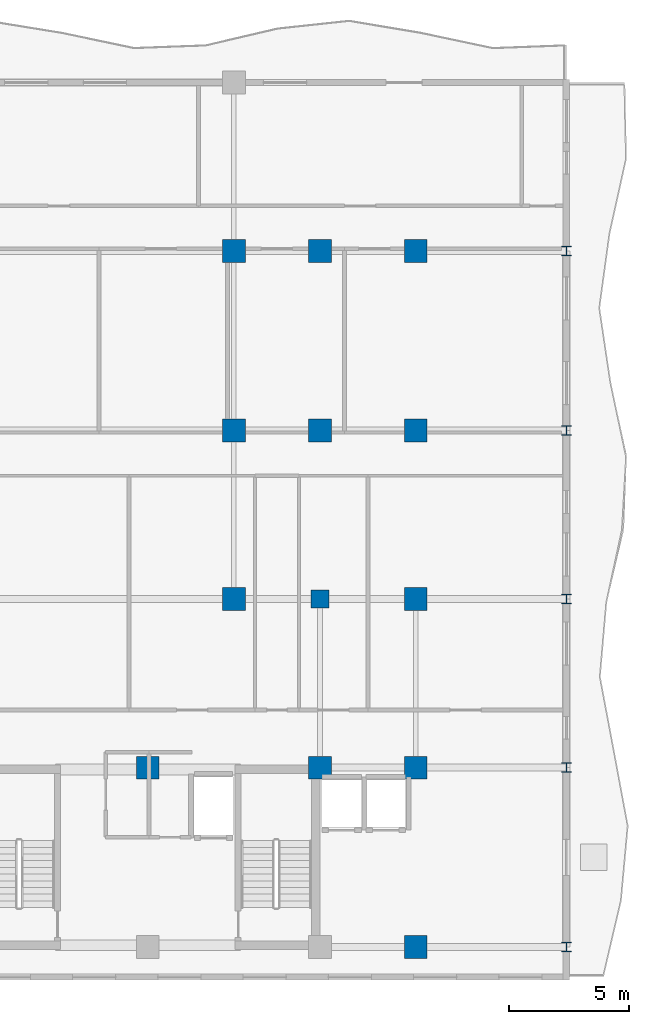
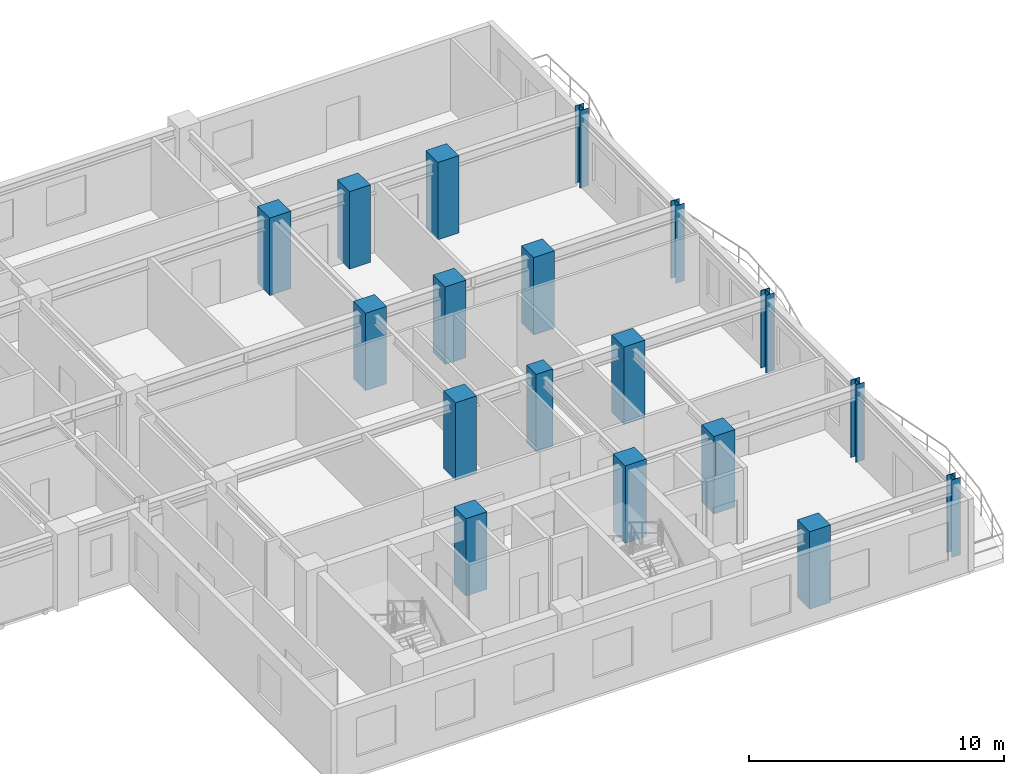
# One storey, part 2 of 13: 18 columns.
"""IFC4 building model written with IfcOpenShell, lengths in metres."""

from ifc_helpers import new_model, si_unit, direction, frame, origin, origin_2d, place, context, subcontext, project, spatial, rectangle, i_section, extrude, source, transform, mapped, material, material_profile, profile_set, type_object, element, save


model = new_model("IFC4")

# Units and contexts
model_context = context("Model", 3, precision=1e-05, world=origin(), true_north=direction((0.0, 1.0)))
body_context = subcontext(model_context, "Body", "Model", "MODEL_VIEW")
ifc_project = project(units=[si_unit("LENGTHUNIT", "METRE"), si_unit("AREAUNIT", "SQUARE_METRE"), si_unit("VOLUMEUNIT", "CUBIC_METRE"), si_unit("PLANEANGLEUNIT", "RADIAN"), si_unit("MASSUNIT", "GRAM", prefix="KILO")], contexts=[model_context])

# Site, building, storey
site_placement = place(None, origin())
site = spatial("IfcSite", under=ifc_project, at=site_placement, CompositionType="ELEMENT")
building_placement = place(site_placement, origin())
building = spatial("IfcBuilding", under=site, at=building_placement, Name="Kaliganga Portal Commons", CompositionType="ELEMENT")
storey_placement = place(building_placement, frame((0.0, 0.0, 212.89990234375)))
storey = spatial("IfcBuildingStorey", under=building, at=storey_placement, Name="L54", CompositionType="ELEMENT", Elevation=212.89990234375)

# Columns
ifc_material_1 = material(Name="Concrete C50/60", Category="concrete")
ifc_material_profile_1 = material_profile(ifc_material_1, rectangle(XDim=0.949951171875, YDim=0.949951171875, at=origin_2d()), Name="RC 950x950")
ifc_profile_set_1 = profile_set([ifc_material_profile_1], Name="Concrete C50/60")
column_type_1 = type_object("IfcColumnType", Name="COL-MEGA-Z4", PredefinedType="COLUMN", material=ifc_profile_set_1)
shared_shape_1 = source(origin(), body_context, "Body", "SweptSolid", [
    extrude(rectangle(XDim=0.949951171875, YDim=0.949951171875, at=origin_2d()), origin(), (0.0, 0.0, 1.0), 3.7001953125),
])
for number, where, z_axis, x_axis, name in (
    (1, (46.800048828125, 21.60009765625, 0.0), (0.0, 0.0, 1.0), (1.0, 0.0, 0.0), "Column MC-05 L54"),
    (2, (46.800048828125, 28.64990234375, 0.0), (0.0, 0.0, 1.0), (1.0, 0.0, 0.0), "Column MC-05 L54"),
    (3, (46.800048828125, 36.14990234375, 0.0), (0.0, 0.0, 1.0), (1.0, 0.0, 0.0), "Column MC-05 L54"),
    (4, (43.199951171875, 14.550048828125, 0.0), (0.0, 0.0, 1.0), (1.0, 0.0, 0.0), "Column MC-05 L54"),
    (5, (50.39990234375, 14.550048828125, 0.0), (0.0, 0.0, 1.0), (1.0, 0.0, 0.0), "Column MC-05 L54"),
    (6, (50.39990234375, 28.64990234375, 0.0), (0.0, 0.0, 1.0), (1.0, 0.0, 0.0), "Column MC-05 L54"),
    (7, (50.39990234375, 36.14990234375, 0.0), (0.0, 0.0, 1.0), (1.0, 0.0, 0.0), "Column MC-05 L54"),
    (8, (54.39990234375, 7.050048828125, 0.0), (0.0, 0.0, 1.0), (1.0, 0.0, 0.0), "Column MC-05 L54"),
    (9, (54.39990234375, 14.550048828125, 0.0), (0.0, 0.0, 1.0), (1.0, 0.0, 0.0), "Column MC-05 L54"),
    (10, (54.39990234375, 21.60009765625, 0.0), (0.0, 0.0, 1.0), (1.0, 0.0, 0.0), "Column MC-05 L54"),
    (11, (54.39990234375, 28.64990234375, 0.0), (0.0, 0.0, 1.0), (1.0, 0.0, 0.0), "Column MC-05 L54"),
    (12, (54.39990234375, 36.14990234375, 0.0), (0.0, 0.0, 1.0), (1.0, 0.0, 0.0), "Column MC-05 L54"),
):
    element("IfcColumn", number, at=place(storey_placement, frame(where, z_axis=z_axis, x_axis=x_axis)), inside=storey, type_object=column_type_1, Name=name, PredefinedType="COLUMN", context=body_context, shape_type="MappedRepresentation", body=[
        mapped(shared_shape_1, transform((0.0, 0.0, 0.0), x_axis=(1.0, 0.0, 0.0), y_axis=(0.0, 1.0, 0.0), z_axis=(0.0, 0.0, 1.0), scale=1.0)),
    ])
ifc_material_2 = material(Name="Concrete C60/75", Category="concrete")
ifc_material_profile_2 = material_profile(ifc_material_2, rectangle(XDim=0.75, YDim=0.75, at=origin_2d()), Name="RC 750x750")
ifc_profile_set_2 = profile_set([ifc_material_profile_2], Name="Concrete C60/75")
column_type_2 = type_object("IfcColumnType", Name="COL-PILASTER-RC", PredefinedType="PILASTER", material=ifc_profile_set_2)
shared_shape_2 = source(origin(), body_context, "Body", "SweptSolid", [
    extrude(rectangle(XDim=0.75, YDim=0.75, at=origin_2d()), origin(), (0.0, 0.0, 1.0), 3.7001953125),
])
column_placement = place(storey_placement, frame((50.39990234375, 21.60009765625, 0.0), z_axis=(0.0, 0.0, 1.0), x_axis=(1.0, 0.0, 0.0)))
element("IfcColumn", 13, at=column_placement, inside=storey, type_object=column_type_2, Name="Column CP-01 L54", PredefinedType="PILASTER", context=body_context, shape_type="MappedRepresentation", body=[
    mapped(shared_shape_2, transform((0.0, 0.0, 0.0), x_axis=(1.0, 0.0, 0.0), y_axis=(0.0, 1.0, 0.0), z_axis=(0.0, 0.0, 1.0), scale=1.0)),
])
ifc_material_3 = material(Name="Structural steel S355J2", Category="steel")
ifc_material_profile_3 = material_profile(ifc_material_3, i_section(OverallWidth=0.39892578125, OverallDepth=0.39990234375, WebThickness=0.017333984375, FlangeThickness=0.0234375, FilletRadius=0.014892578125, at=origin_2d()), Name="HD 400x287")
ifc_profile_set_3 = profile_set([ifc_material_profile_3], Name="Structural steel S355J2 wide-flange")
column_type_3 = type_object("IfcColumnType", Name="COL-TUBE-B4", PredefinedType="COLUMN", material=ifc_profile_set_3)
shared_shape_3 = source(origin(), body_context, "Body", "SweptSolid", [
    extrude(i_section(OverallWidth=0.39892578125, OverallDepth=0.39990234375, WebThickness=0.017333984375, FlangeThickness=0.0234375, FilletRadius=0.014892578125, at=origin_2d()), origin(), (0.0, 0.0, 1.0), 3.7001953125),
])
for number, where, z_axis, x_axis, name in (
    (14, (60.699951171875, 7.050048828125, 0.0), (0.0, 0.0, 1.0), (1.0, 0.0, 0.0), "Column TC-04 L54"),
    (15, (60.699951171875, 14.550048828125, 0.0), (0.0, 0.0, 1.0), (1.0, 0.0, 0.0), "Column TC-04 L54"),
    (16, (60.699951171875, 21.60009765625, 0.0), (0.0, 0.0, 1.0), (1.0, 0.0, 0.0), "Column TC-04 L54"),
    (17, (60.699951171875, 28.64990234375, 0.0), (0.0, 0.0, 1.0), (1.0, 0.0, 0.0), "Column TC-04 L54"),
    (18, (60.699951171875, 36.14990234375, 0.0), (0.0, 0.0, 1.0), (1.0, 0.0, 0.0), "Column TC-04 L54"),
):
    element("IfcColumn", number, at=place(storey_placement, frame(where, z_axis=z_axis, x_axis=x_axis)), inside=storey, type_object=column_type_3, Name=name, PredefinedType="COLUMN", context=body_context, shape_type="MappedRepresentation", body=[
        mapped(shared_shape_3, transform((0.0, 0.0, 0.0), x_axis=(1.0, 0.0, 0.0), y_axis=(0.0, 1.0, 0.0), z_axis=(0.0, 0.0, 1.0), scale=1.0)),
    ])

save(model, "model.ifc")
